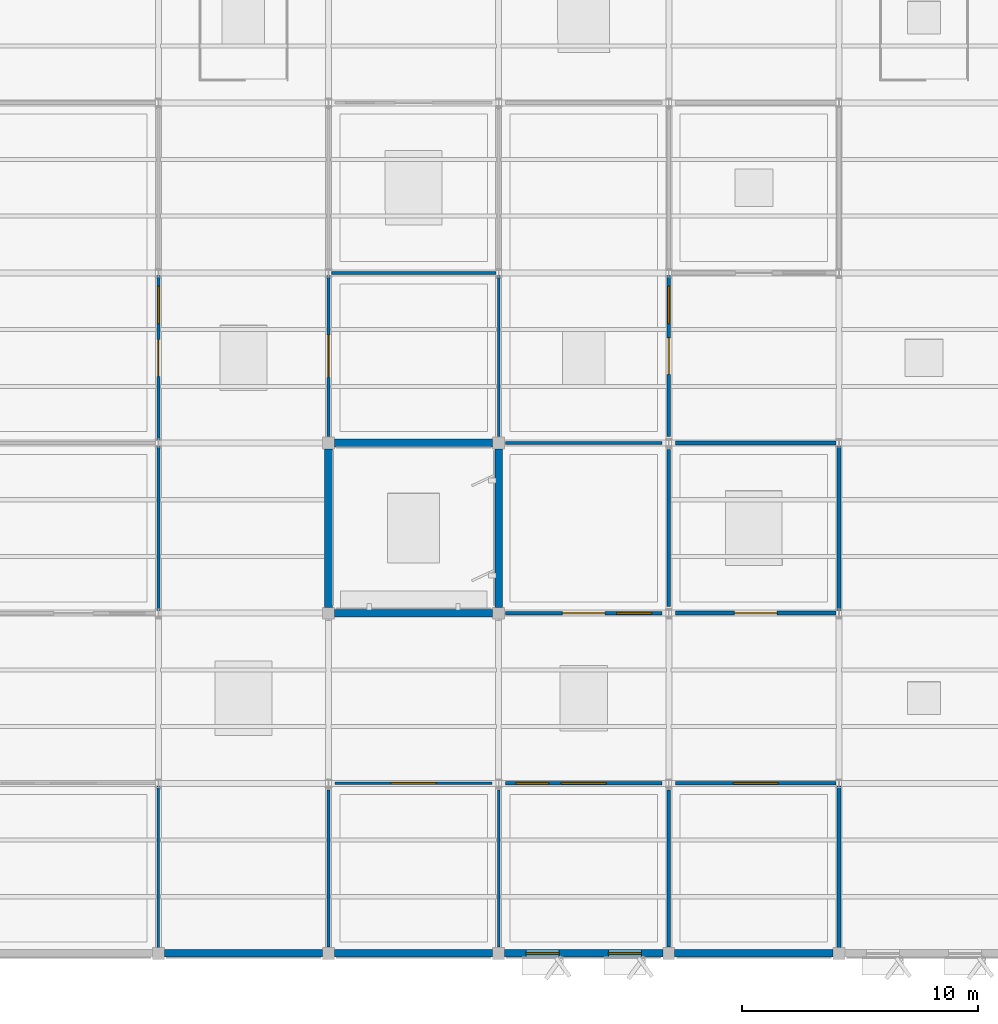
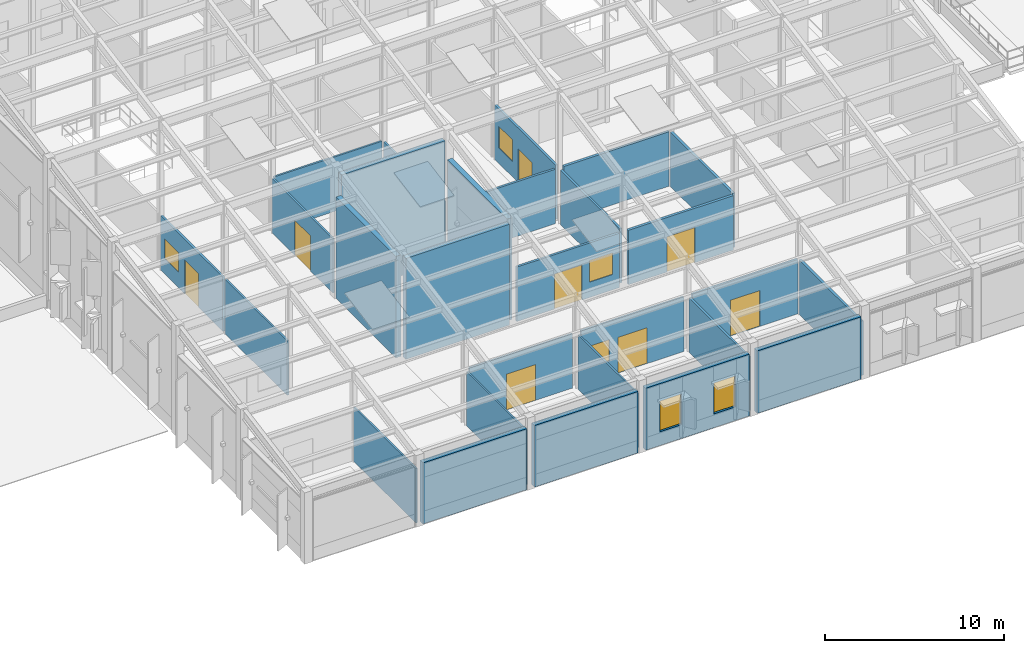
# One storey, part 33 of 82: 28 walls, 8 doors, 6 windows, 14 openings.
"""IFC4 building model written with IfcOpenShell, lengths in metres."""

from ifc_helpers import new_model, si_unit, direction, frame, frame_2d, origin, place, context, subcontext, project, spatial, rectangle, extrude, material, layer, layer_set, type_object, element, fill, save


model = new_model("IFC4")

# Units and contexts
model_context = context("Model", 3, precision=1e-05, world=origin(), true_north=direction((0.0, 1.0)))
body_context = subcontext(model_context, "Body", "Model", "MODEL_VIEW")
ifc_project = project(units=[si_unit("LENGTHUNIT", "METRE"), si_unit("AREAUNIT", "SQUARE_METRE"), si_unit("VOLUMEUNIT", "CUBIC_METRE"), si_unit("PLANEANGLEUNIT", "RADIAN"), si_unit("MASSUNIT", "GRAM", prefix="KILO")], contexts=[model_context])

# Site, building, storey
site_placement = place(None, origin())
site = spatial("IfcSite", under=ifc_project, at=site_placement, CompositionType="ELEMENT")
building_placement = place(site_placement, origin())
building = spatial("IfcBuilding", under=site, at=building_placement, Name="Sillqori Civic Hall", CompositionType="ELEMENT")
storey_placement = place(building_placement, frame((0.0, 0.0, 14.10009765625)))
storey = spatial("IfcBuildingStorey", under=building, at=storey_placement, Name="L04", CompositionType="ELEMENT", Elevation=14.10009765625)

# Walls
ifc_material_1 = material(Name="Precast concrete C40/50 (H40)", Category="concrete")
ifc_layer_1 = layer(ifc_material_1, 0.320068359375)
ifc_layer_set_1 = layer_set([ifc_layer_1], Name="Precast concrete C40/50 (H40)")
wall_type_1 = type_object("IfcWallType", Name="EW-LIME-320", PredefinedType="SOLIDWALL", material=ifc_layer_set_1)
wall_1_placement = place(storey_placement, frame((78.949951171875, 7.199951171875, 0.0), z_axis=(0.0, 0.0, 1.0), x_axis=(-1.0, 0.0, 0.0)))
element("IfcWall", 1, at=wall_1_placement, inside=storey, type_object=wall_type_1, Name="L04 V2 exterior wall L04-10-01-S", PredefinedType="SOLIDWALL", context=body_context, shape_type="SweptSolid", body=[
    extrude(rectangle(XDim=6.699951171875, YDim=0.320068359375, at=frame_2d((3.35009765625, 0.0))), origin(), (0.0, 0.0, 1.0), 4.177490234375),
])
wall_2_placement = place(storey_placement, frame((79.199951171875, 28.550048828125, 0.0), z_axis=(0.0, 0.0, 1.0), x_axis=(0.0, -1.0, 0.0)))
element("IfcWall", 2, at=wall_2_placement, inside=storey, type_object=wall_type_1, Name="L04 V2 exterior wall L04-10-03-E", PredefinedType="SOLIDWALL", context=body_context, shape_type="SweptSolid", body=[
    extrude(rectangle(XDim=6.699951171875, YDim=0.320068359375, at=frame_2d((3.35009765625, 0.0))), origin(), (0.0, 0.0, 1.0), 6.93603515625),
])
wall_3_placement = place(storey_placement, frame((86.14990234375, 7.199951171875, 0.0), z_axis=(0.0, 0.0, 1.0), x_axis=(-1.0, 0.0, 0.0)))
element("IfcWall", 3, at=wall_3_placement, inside=storey, type_object=wall_type_1, Name="L04 V2 exterior wall L04-11-01-S", PredefinedType="SOLIDWALL", context=body_context, shape_type="SweptSolid", body=[
    extrude(rectangle(XDim=6.699951171875, YDim=0.320068359375, at=frame_2d((3.35009765625, 0.0))), origin(), (0.0, 0.0, 1.0), 4.206298828125),
])
wall_4_placement = place(storey_placement, frame((79.449951171875, 21.60009765625, 0.0), z_axis=(0.0, 0.0, 1.0), x_axis=(1.0, 0.0, 0.0)))
element("IfcWall", 4, at=wall_4_placement, inside=storey, type_object=wall_type_1, Name="L04 V2 exterior wall L04-11-02-N", PredefinedType="SOLIDWALL", context=body_context, shape_type="SweptSolid", body=[
    extrude(rectangle(XDim=6.699951171875, YDim=0.320068359375, at=frame_2d((3.35009765625, 0.0))), origin(), (0.0, 0.0, 1.0), 6.891845703125),
])
wall_5_placement = place(storey_placement, frame((86.14990234375, 28.800048828125, 0.0), z_axis=(0.0, 0.0, 1.0), x_axis=(-1.0, 0.0, 0.0)))
element("IfcWall", 5, at=wall_5_placement, inside=storey, type_object=wall_type_1, Name="L04 V2 exterior wall L04-11-04-S", PredefinedType="SOLIDWALL", context=body_context, shape_type="SweptSolid", body=[
    extrude(rectangle(XDim=6.699951171875, YDim=0.320068359375, at=frame_2d((3.35009765625, 0.0))), origin(), (0.0, 0.0, 1.0), 8.23486328125),
])

# Wall, openings, windows
wall_6_placement = place(storey_placement, frame((93.35009765625, 7.199951171875, 0.0), z_axis=(0.0, 0.0, 1.0), x_axis=(-1.0, 0.0, 0.0)))
wall_6 = element("IfcWall", 6, at=wall_6_placement, inside=storey, type_object=wall_type_1, Name="L04 V2 exterior wall L04-12-01-S", PredefinedType="SOLIDWALL", context=body_context, shape_type="SweptSolid", body=[
    extrude(rectangle(XDim=6.7001953125, YDim=0.320068359375, at=frame_2d((3.35009765625, 0.0))), origin(), (0.0, 0.0, 1.0), 4.23486328125),
])
opening_1_placement = place(wall_6_placement, frame((0.907958984375, 0.0, 0.949951171875)))
opening_1 = element("IfcOpeningElement", 7, at=opening_1_placement, cuts=wall_6, Name="Opening W-03", PredefinedType="OPENING", context=body_context, shape_type="SweptSolid", body=[
    extrude(rectangle(XDim=1.39990234375, YDim=2.10009765625, at=frame_2d((0.699951171875, 1.050048828125))), frame((0.0, 0.169921875, 0.0), z_axis=(0.0, -1.0, 0.0), x_axis=(1.0, 0.0, 0.0)), (0.0, 0.0, 1.0), 0.340087890625),
])
opening_2_placement = place(wall_6_placement, frame((4.39208984375, 0.0, 0.949951171875)))
opening_2 = element("IfcOpeningElement", 8, at=opening_2_placement, cuts=wall_6, Name="Opening W-03", PredefinedType="OPENING", context=body_context, shape_type="SweptSolid", body=[
    extrude(rectangle(XDim=1.39990234375, YDim=2.10009765625, at=frame_2d((0.699951171875, 1.050048828125))), frame((0.0, 0.169921875, 0.0), z_axis=(0.0, -1.0, 0.0), x_axis=(1.0, 0.0, 0.0)), (0.0, 0.0, 1.0), 0.340087890625),
])
ifc_material_2 = material(Name="Thermally Broken Aluminium Low-E Window", Category="aluminium")
window_type_1 = type_object("IfcWindowType", Name="WIN-V2-140X210", PartitioningType="SINGLE_PANEL", PredefinedType="WINDOW", material=ifc_material_2)
window_1_placement = place(opening_1_placement, origin())
window_1 = element("IfcWindow", 9, at=window_1_placement, inside=storey, type_object=window_type_1, Name="L04 V2 window L04-12-01-S.1", OverallHeight=2.10009765625, OverallWidth=1.39990234375, PartitioningType="SINGLE_PANEL", PredefinedType="WINDOW", context=body_context, shape_type="SweptSolid", body=[
    extrude(rectangle(XDim=1.39990234375, YDim=2.10009765625, at=frame_2d((0.699951171875, 1.050048828125))), frame((0.0, 0.030029296875, 0.0), z_axis=(0.0, -1.0, 0.0), x_axis=(1.0, 0.0, 0.0)), (0.0, 0.0, 1.0), 0.06005859375),
])
fill(opening_1, window_1)
window_2_placement = place(opening_2_placement, origin())
window_2 = element("IfcWindow", 10, at=window_2_placement, inside=storey, type_object=window_type_1, Name="L04 V2 window L04-12-01-S.2", OverallHeight=2.10009765625, OverallWidth=1.39990234375, PartitioningType="SINGLE_PANEL", PredefinedType="WINDOW", context=body_context, shape_type="SweptSolid", body=[
    extrude(rectangle(XDim=1.39990234375, YDim=2.10009765625, at=frame_2d((0.699951171875, 1.050048828125))), frame((0.0, 0.030029296875, 0.0), z_axis=(0.0, -1.0, 0.0), x_axis=(1.0, 0.0, 0.0)), (0.0, 0.0, 1.0), 0.06005859375),
])
fill(opening_2, window_2)

# Walls
wall_7_placement = place(storey_placement, frame((86.39990234375, 21.85009765625, 0.0), z_axis=(0.0, 0.0, 1.0), x_axis=(0.0, 1.0, 0.0)))
element("IfcWall", 11, at=wall_7_placement, inside=storey, type_object=wall_type_1, Name="L04 V2 exterior wall L04-12-03-W", PredefinedType="SOLIDWALL", context=body_context, shape_type="SweptSolid", body=[
    extrude(rectangle(XDim=6.699951171875, YDim=0.320068359375, at=frame_2d((3.35009765625, 0.0))), origin(), (0.0, 0.0, 1.0), 6.964599609375),
])
wall_8_placement = place(storey_placement, frame((100.550048828125, 7.199951171875, 0.0), z_axis=(0.0, 0.0, 1.0), x_axis=(-1.0, 0.0, 0.0)))
element("IfcWall", 12, at=wall_8_placement, inside=storey, type_object=wall_type_1, Name="L04 V2 exterior wall L04-13-01-S", PredefinedType="SOLIDWALL", context=body_context, shape_type="SweptSolid", body=[
    extrude(rectangle(XDim=6.699951171875, YDim=0.320068359375, at=frame_2d((3.35009765625, 0.0))), origin(), (0.0, 0.0, 1.0), 4.263427734375),
])
ifc_material_3 = material(Name="Framed Acoustic Glazed Office Screen 106", Category="glass")
ifc_layer_2 = layer(ifc_material_3, 0.10595703125)
ifc_layer_set_2 = layer_set([ifc_layer_2], Name="Framed Acoustic Glazed Office Screen 106")
wall_type_2 = type_object("IfcWallType", Name="PT-GLZ-106", PredefinedType="PARTITIONING", material=ifc_layer_set_2)
wall_9_placement = place(storey_placement, frame((72.0, 14.280029296875, 0.0), z_axis=(0.0, 0.0, 1.0), x_axis=(0.0, -1.0, 0.0)))
element("IfcWall", 13, at=wall_9_placement, inside=storey, type_object=wall_type_2, Name="Wedge Sky-Lit Public Exhibition Hall partition E2", PredefinedType="PARTITIONING", context=body_context, shape_type="SweptSolid", body=[
    extrude(rectangle(XDim=6.9599609375, YDim=0.10595703125, at=frame_2d((3.47998046875, 0.0))), origin(), (0.0, 0.0, 1.0), 3.719970703125),
])
ifc_material_4 = material(Name="Double-Glazed Civic Suite Screen 118", Category="glass")
ifc_layer_3 = layer(ifc_material_4, 0.117919921875)
ifc_layer_set_3 = layer_set([ifc_layer_3], Name="Double-Glazed Civic Suite Screen 118")
wall_type_3 = type_object("IfcWallType", Name="PT-GLZ-118", PredefinedType="PARTITIONING", material=ifc_layer_set_3)
wall_10_placement = place(storey_placement, frame((72.0, 28.679931640625, 0.0), z_axis=(0.0, 0.0, 1.0), x_axis=(0.0, -1.0, 0.0)))
element("IfcWall", 14, at=wall_10_placement, inside=storey, type_object=wall_type_3, Name="Metropolitan Regional Assembly Forum partition E3", PredefinedType="PARTITIONING", context=body_context, shape_type="SweptSolid", body=[
    extrude(rectangle(XDim=6.9599609375, YDim=0.117919921875, at=frame_2d((3.47998046875, 0.0))), origin(), (0.0, 0.0, 1.0), 3.719970703125),
])

# Wall, opening, door
ifc_material_5 = material(Name="Acoustic Steel-Stud Partition 108", Category="steel")
ifc_layer_4 = layer(ifc_material_5, 0.10791015625)
ifc_layer_set_4 = layer_set([ifc_layer_4], Name="Acoustic Steel-Stud Partition 108")
wall_type_4 = type_object("IfcWallType", Name="PT-GYP-108", PredefinedType="PARTITIONING", material=ifc_layer_set_4)
wall_11_placement = place(storey_placement, frame((79.47998046875, 14.39990234375, 0.0), z_axis=(0.0, 0.0, 1.0), x_axis=(1.0, 0.0, 0.0)))
wall_11 = element("IfcWall", 15, at=wall_11_placement, inside=storey, type_object=wall_type_4, Name="Wedge Sky-Lit Public Exhibition Hall L04-05 partition N1", PredefinedType="PARTITIONING", context=body_context, shape_type="SweptSolid", body=[
    extrude(rectangle(XDim=6.64013671875, YDim=0.10791015625, at=frame_2d((3.320068359375, 0.0))), origin(), (0.0, 0.0, 1.0), 3.719970703125),
])
opening_3_placement = place(wall_11_placement, frame((2.3701171875, 0.0, 0.0)))
opening_3 = element("IfcOpeningElement", 16, at=opening_3_placement, cuts=wall_11, Name="Opening ID-11", PredefinedType="OPENING", context=body_context, shape_type="SweptSolid", body=[
    extrude(rectangle(XDim=1.89990234375, YDim=2.449951171875, at=frame_2d((0.949951171875, 1.22509765625))), frame((0.0, 0.06396484375, 0.0), z_axis=(0.0, -1.0, 0.0), x_axis=(1.0, 0.0, 0.0)), (0.0, 0.0, 1.0), 0.1279296875),
])
ifc_material_6 = material(Name="Exhibition Gallery Portal Door", Category="aluminium")
door_type_1 = type_object("IfcDoorType", Name="IDR-EXH-190X245", OperationType="NOTDEFINED", PredefinedType="DOOR", material=ifc_material_6)
door_1_placement = place(opening_3_placement, origin())
door_1 = element("IfcDoor", 17, at=door_1_placement, inside=storey, type_object=door_type_1, Name="Wedge Sky-Lit Public Exhibition Hall L04-05 entrance door", OperationType="DOUBLE_DOOR_SINGLE_SWING", OverallHeight=2.449951171875, OverallWidth=1.89990234375, PredefinedType="DOOR", context=body_context, shape_type="SweptSolid", body=[
    extrude(rectangle(XDim=1.89990234375, YDim=2.449951171875, at=frame_2d((0.949951171875, 1.22509765625))), frame((0.0, 0.02490234375, 0.0), z_axis=(0.0, -1.0, 0.0), x_axis=(1.0, 0.0, 0.0)), (0.0, 0.0, 1.0), 0.050048828125),
])
fill(opening_3, door_1)

# Walls
for number, where, z_axis, x_axis, name in (
    (18, (79.199951171875, 7.47998046875, 0.0), (0.0, 0.0, 1.0), (0.0, 1.0, 0.0), "Wedge Sky-Lit Public Exhibition Hall L04-05 partition W2"),
    (19, (86.39990234375, 14.1201171875, 0.0), (0.0, 0.0, 1.0), (0.0, -1.0, 0.0), "Wedge Sky-Lit Public Exhibition Hall L04-05 partition E3"),
):
    element("IfcWall", number, at=place(storey_placement, frame(where, z_axis=z_axis, x_axis=x_axis)), inside=storey, type_object=wall_type_4, Name=name, PredefinedType="PARTITIONING", context=body_context, shape_type="SweptSolid", body=[
        extrude(rectangle(XDim=6.64013671875, YDim=0.10791015625, at=frame_2d((3.320068359375, 0.0))), origin(), (0.0, 0.0, 1.0), 3.719970703125),
    ])

# Wall, opening, door
ifc_material_7 = material(Name="Acoustic Steel-Stud Partition 116", Category="steel")
ifc_layer_5 = layer(ifc_material_7, 0.115966796875)
ifc_layer_set_5 = layer_set([ifc_layer_5], Name="Acoustic Steel-Stud Partition 116")
wall_type_5 = type_object("IfcWallType", Name="PT-GYP-116", PredefinedType="PARTITIONING", material=ifc_layer_set_5)
wall_12_placement = place(storey_placement, frame((79.199951171875, 29.080078125, 0.0), z_axis=(0.0, 0.0, 1.0), x_axis=(0.0, 1.0, 0.0)))
wall_12 = element("IfcWall", 20, at=wall_12_placement, inside=storey, type_object=wall_type_5, Name="Metropolitan Regional Assembly Forum L04-06 partition W1", PredefinedType="PARTITIONING", context=body_context, shape_type="SweptSolid", body=[
    extrude(rectangle(XDim=6.7998046875, YDim=0.115966796875, at=frame_2d((3.39990234375, 0.0))), origin(), (0.0, 0.0, 1.0), 3.719970703125),
])
opening_4_placement = place(wall_12_placement, frame((2.5, 0.0, 0.0)))
opening_4 = element("IfcOpeningElement", 21, at=opening_4_placement, cuts=wall_12, Name="Opening ID-03", PredefinedType="OPENING", context=body_context, shape_type="SweptSolid", body=[
    extrude(rectangle(XDim=1.800048828125, YDim=2.39990234375, at=frame_2d((0.89990234375, 1.199951171875))), frame((0.0, 0.06787109375, 0.0), z_axis=(0.0, -1.0, 0.0), x_axis=(1.0, 0.0, 0.0)), (0.0, 0.0, 1.0), 0.135986328125),
])
ifc_material_8 = material(Name="Committee Hearing Double Door", Category="timber")
door_type_2 = type_object("IfcDoorType", Name="IDR-COM-180X240", OperationType="NOTDEFINED", PredefinedType="DOOR", material=ifc_material_8)
door_2_placement = place(opening_4_placement, origin())
door_2 = element("IfcDoor", 22, at=door_2_placement, inside=storey, type_object=door_type_2, Name="Metropolitan Regional Assembly Forum L04-06 entrance door", OperationType="DOUBLE_DOOR_SINGLE_SWING", OverallHeight=2.39990234375, OverallWidth=1.800048828125, PredefinedType="DOOR", context=body_context, shape_type="SweptSolid", body=[
    extrude(rectangle(XDim=1.800048828125, YDim=2.39990234375, at=frame_2d((0.89990234375, 1.199951171875))), frame((0.0, 0.02490234375, 0.0), z_axis=(0.0, -1.0, 0.0), x_axis=(1.0, 0.0, 0.0)), (0.0, 0.0, 1.0), 0.050048828125),
])
fill(opening_4, door_2)

# Walls
wall_13_placement = place(storey_placement, frame((79.320068359375, 36.0, 0.0), z_axis=(0.0, 0.0, 1.0), x_axis=(1.0, 0.0, 0.0)))
element("IfcWall", 23, at=wall_13_placement, inside=storey, type_object=wall_type_5, Name="Metropolitan Regional Assembly Forum L04-06 partition N2", PredefinedType="PARTITIONING", context=body_context, shape_type="SweptSolid", body=[
    extrude(rectangle(XDim=6.9599609375, YDim=0.115966796875, at=frame_2d((3.47998046875, 0.0))), origin(), (0.0, 0.0, 1.0), 3.719970703125),
])
wall_14_placement = place(storey_placement, frame((86.39990234375, 35.8798828125, 0.0), z_axis=(0.0, 0.0, 1.0), x_axis=(0.0, -1.0, 0.0)))
element("IfcWall", 24, at=wall_14_placement, inside=storey, type_object=wall_type_5, Name="Metropolitan Regional Assembly Forum L04-06 partition E3", PredefinedType="PARTITIONING", context=body_context, shape_type="SweptSolid", body=[
    extrude(rectangle(XDim=6.7998046875, YDim=0.115966796875, at=frame_2d((3.39990234375, 0.0))), origin(), (0.0, 0.0, 1.0), 3.719970703125),
])

# Wall, openings, door, window
ifc_material_9 = material(Name="Double-Board Acoustic Partition 135", Category="gypsum")
ifc_layer_6 = layer(ifc_material_9, 0.135009765625)
ifc_layer_set_6 = layer_set([ifc_layer_6], Name="Double-Board Acoustic Partition 135")
wall_type_6 = type_object("IfcWallType", Name="PT-GYP-135", PredefinedType="PARTITIONING", material=ifc_layer_set_6)
wall_15_placement = place(storey_placement, frame((86.679931640625, 14.39990234375, 0.0), z_axis=(0.0, 0.0, 1.0), x_axis=(1.0, 0.0, 0.0)))
wall_15 = element("IfcWall", 25, at=wall_15_placement, inside=storey, type_object=wall_type_6, Name="Wedge Sky-Lit Public Exhibition Hall L04-09 partition N1", PredefinedType="PARTITIONING", context=body_context, shape_type="SweptSolid", body=[
    extrude(rectangle(XDim=6.64013671875, YDim=0.135009765625, at=frame_2d((3.320068359375, 0.0))), origin(), (0.0, 0.0, 1.0), 3.719970703125),
])
opening_5_placement = place(wall_15_placement, frame((2.3701171875, 0.0, 0.0)))
opening_5 = element("IfcOpeningElement", 26, at=opening_5_placement, cuts=wall_15, Name="Opening ID-11", PredefinedType="OPENING", context=body_context, shape_type="SweptSolid", body=[
    extrude(rectangle(XDim=1.89990234375, YDim=2.449951171875, at=frame_2d((0.949951171875, 1.22509765625))), frame((0.0, 0.077392578125, 0.0), z_axis=(0.0, -1.0, 0.0), x_axis=(1.0, 0.0, 0.0)), (0.0, 0.0, 1.0), 0.155029296875),
])
opening_6_placement = place(wall_15_placement, frame((0.449951171875, 0.0, 1.050048828125)))
opening_6 = element("IfcOpeningElement", 27, at=opening_6_placement, cuts=wall_15, Name="Opening IW-48", PredefinedType="OPENING", context=body_context, shape_type="SweptSolid", body=[
    extrude(rectangle(XDim=1.3798828125, YDim=1.43994140625, at=frame_2d((0.68994140625, 0.719970703125))), frame((0.0, 0.077392578125, 0.0), z_axis=(0.0, -1.0, 0.0), x_axis=(1.0, 0.0, 0.0)), (0.0, 0.0, 1.0), 0.155029296875),
])
door_3_placement = place(opening_5_placement, origin())
door_3 = element("IfcDoor", 28, at=door_3_placement, inside=storey, type_object=door_type_1, Name="Wedge Sky-Lit Public Exhibition Hall L04-09 entrance door", OperationType="DOUBLE_DOOR_SINGLE_SWING", OverallHeight=2.449951171875, OverallWidth=1.89990234375, PredefinedType="DOOR", context=body_context, shape_type="SweptSolid", body=[
    extrude(rectangle(XDim=1.89990234375, YDim=2.449951171875, at=frame_2d((0.949951171875, 1.22509765625))), frame((0.0, 0.02490234375, 0.0), z_axis=(0.0, -1.0, 0.0), x_axis=(1.0, 0.0, 0.0)), (0.0, 0.0, 1.0), 0.050048828125),
])
fill(opening_5, door_3)
ifc_material_10 = material(Name="Acoustic Laminated Interior Clerestory Glazing", Category="glass")
window_type_2 = type_object("IfcWindowType", Name="IWN-GAL-138X144", PartitioningType="SINGLE_PANEL", PredefinedType="WINDOW", material=ifc_material_10)
window_3_placement = place(opening_6_placement, origin())
window_3 = element("IfcWindow", 29, at=window_3_placement, inside=storey, type_object=window_type_2, Name="Wedge Sky-Lit Public Exhibition Hall L04-09 borrowed-light screen", OverallHeight=1.43994140625, OverallWidth=1.3798828125, PartitioningType="SINGLE_PANEL", PredefinedType="WINDOW", context=body_context, shape_type="SweptSolid", body=[
    extrude(rectangle(XDim=1.3798828125, YDim=1.43994140625, at=frame_2d((0.68994140625, 0.719970703125))), frame((0.0, 0.030029296875, 0.0), z_axis=(0.0, -1.0, 0.0), x_axis=(1.0, 0.0, 0.0)), (0.0, 0.0, 1.0), 0.06005859375),
])
fill(opening_6, window_3)

# Wall
wall_16_placement = place(storey_placement, frame((93.60009765625, 14.1201171875, 0.0), z_axis=(0.0, 0.0, 1.0), x_axis=(0.0, -1.0, 0.0)))
element("IfcWall", 30, at=wall_16_placement, inside=storey, type_object=wall_type_6, Name="Wedge Sky-Lit Public Exhibition Hall L04-09 partition E3", PredefinedType="PARTITIONING", context=body_context, shape_type="SweptSolid", body=[
    extrude(rectangle(XDim=6.64013671875, YDim=0.135009765625, at=frame_2d((3.320068359375, 0.0))), origin(), (0.0, 0.0, 1.0), 3.719970703125),
])

# Wall, openings, door, window
ifc_material_11 = material(Name="Corridor Rated Partition 142", Category="gypsum")
ifc_layer_7 = layer(ifc_material_11, 0.14208984375)
ifc_layer_set_7 = layer_set([ifc_layer_7], Name="Corridor Rated Partition 142")
wall_type_7 = type_object("IfcWallType", Name="PT-GYP-142", PredefinedType="PARTITIONING", material=ifc_layer_set_7)
wall_17_placement = place(storey_placement, frame((93.320068359375, 21.60009765625, 0.0), z_axis=(0.0, 0.0, 1.0), x_axis=(-1.0, 0.0, 0.0)))
wall_17 = element("IfcWall", 31, at=wall_17_placement, inside=storey, type_object=wall_type_7, Name="Metropolitan Regional Assembly Forum L04-10 partition S1", PredefinedType="PARTITIONING", context=body_context, shape_type="SweptSolid", body=[
    extrude(rectangle(XDim=6.64013671875, YDim=0.14208984375, at=frame_2d((3.320068359375, 0.0))), origin(), (0.0, 0.0, 1.0), 3.719970703125),
])
opening_7_placement = place(wall_17_placement, frame((2.419921875, 0.0, 0.0)))
opening_7 = element("IfcOpeningElement", 32, at=opening_7_placement, cuts=wall_17, Name="Opening ID-03", PredefinedType="OPENING", context=body_context, shape_type="SweptSolid", body=[
    extrude(rectangle(XDim=1.800048828125, YDim=2.39990234375, at=frame_2d((0.89990234375, 1.199951171875))), frame((0.0, 0.0810546875, 0.0), z_axis=(0.0, -1.0, 0.0), x_axis=(1.0, 0.0, 0.0)), (0.0, 0.0, 1.0), 0.162109375),
])
opening_8_placement = place(wall_17_placement, frame((0.449951171875, 0.0, 1.050048828125)))
opening_8 = element("IfcOpeningElement", 33, at=opening_8_placement, cuts=wall_17, Name="Opening IW-49", PredefinedType="OPENING", context=body_context, shape_type="SweptSolid", body=[
    extrude(rectangle(XDim=1.47998046875, YDim=1.47998046875, at=frame_2d((0.739990234375, 0.739990234375))), frame((0.0, 0.0810546875, 0.0), z_axis=(0.0, -1.0, 0.0), x_axis=(1.0, 0.0, 0.0)), (0.0, 0.0, 1.0), 0.162109375),
])
door_4_placement = place(opening_7_placement, origin())
door_4 = element("IfcDoor", 34, at=door_4_placement, inside=storey, type_object=door_type_2, Name="Metropolitan Regional Assembly Forum L04-10 entrance door", OperationType="DOUBLE_DOOR_SINGLE_SWING", OverallHeight=2.39990234375, OverallWidth=1.800048828125, PredefinedType="DOOR", context=body_context, shape_type="SweptSolid", body=[
    extrude(rectangle(XDim=1.800048828125, YDim=2.39990234375, at=frame_2d((0.89990234375, 1.199951171875))), frame((0.0, 0.02490234375, 0.0), z_axis=(0.0, -1.0, 0.0), x_axis=(1.0, 0.0, 0.0)), (0.0, 0.0, 1.0), 0.050048828125),
])
fill(opening_7, door_4)
window_type_3 = type_object("IfcWindowType", Name="IWN-GAL-148X148", PartitioningType="SINGLE_PANEL", PredefinedType="WINDOW", material=ifc_material_10)
window_4_placement = place(opening_8_placement, origin())
window_4 = element("IfcWindow", 35, at=window_4_placement, inside=storey, type_object=window_type_3, Name="Metropolitan Regional Assembly Forum L04-10 borrowed-light screen", OverallHeight=1.47998046875, OverallWidth=1.47998046875, PartitioningType="SINGLE_PANEL", PredefinedType="WINDOW", context=body_context, shape_type="SweptSolid", body=[
    extrude(rectangle(XDim=1.47998046875, YDim=1.47998046875, at=frame_2d((0.739990234375, 0.739990234375))), frame((0.0, 0.030029296875, 0.0), z_axis=(0.0, -1.0, 0.0), x_axis=(1.0, 0.0, 0.0)), (0.0, 0.0, 1.0), 0.06005859375),
])
fill(opening_8, window_4)

# Walls
for number, where, z_axis, x_axis, name in (
    (36, (86.679931640625, 28.800048828125, 0.0), (0.0, 0.0, 1.0), (1.0, 0.0, 0.0), "Metropolitan Regional Assembly Forum L04-10 partition N2"),
    (37, (93.60009765625, 28.52001953125, 0.0), (0.0, 0.0, 1.0), (0.0, -1.0, 0.0), "Metropolitan Regional Assembly Forum L04-10 partition E3"),
):
    element("IfcWall", number, at=place(storey_placement, frame(where, z_axis=z_axis, x_axis=x_axis)), inside=storey, type_object=wall_type_7, Name=name, PredefinedType="PARTITIONING", context=body_context, shape_type="SweptSolid", body=[
        extrude(rectangle(XDim=6.64013671875, YDim=0.14208984375, at=frame_2d((3.320068359375, 0.0))), origin(), (0.0, 0.0, 1.0), 3.719970703125),
    ])

# Wall, openings, door, window
ifc_material_12 = material(Name="Corridor Rated Partition 146", Category="gypsum")
ifc_layer_8 = layer(ifc_material_12, 0.14599609375)
ifc_layer_set_8 = layer_set([ifc_layer_8], Name="Corridor Rated Partition 146")
wall_type_8 = type_object("IfcWallType", Name="PT-GYP-146", PredefinedType="PARTITIONING", material=ifc_layer_set_8)
wall_18_placement = place(storey_placement, frame((93.60009765625, 35.8798828125, 0.0), z_axis=(0.0, 0.0, 1.0), x_axis=(0.0, -1.0, 0.0)))
wall_18 = element("IfcWall", 38, at=wall_18_placement, inside=storey, type_object=wall_type_8, Name="Citizen Innovation and Open-Data Studio L04-11 partition E1", PredefinedType="PARTITIONING", context=body_context, shape_type="SweptSolid", body=[
    extrude(rectangle(XDim=6.7998046875, YDim=0.14599609375, at=frame_2d((3.39990234375, 0.0))), origin(), (0.0, 0.0, 1.0), 3.719970703125),
])
opening_9_placement = place(wall_18_placement, frame((2.625, 0.0, 0.0)))
opening_9 = element("IfcOpeningElement", 39, at=opening_9_placement, cuts=wall_18, Name="Opening ID-08", PredefinedType="OPENING", context=body_context, shape_type="SweptSolid", body=[
    extrude(rectangle(XDim=1.550048828125, YDim=2.300048828125, at=frame_2d((0.77490234375, 1.14990234375))), frame((0.0, 0.0830078125, 0.0), z_axis=(0.0, -1.0, 0.0), x_axis=(1.0, 0.0, 0.0)), (0.0, 0.0, 1.0), 0.166015625),
])
opening_10_placement = place(wall_18_placement, frame((0.449951171875, 0.0, 1.050048828125)))
opening_10 = element("IfcOpeningElement", 40, at=opening_10_placement, cuts=wall_18, Name="Opening IW-50", PredefinedType="OPENING", context=body_context, shape_type="SweptSolid", body=[
    extrude(rectangle(XDim=1.580078125, YDim=1.47998046875, at=frame_2d((0.7900390625, 0.739990234375))), frame((0.0, 0.0830078125, 0.0), z_axis=(0.0, -1.0, 0.0), x_axis=(1.0, 0.0, 0.0)), (0.0, 0.0, 1.0), 0.166015625),
])
ifc_material_13 = material(Name="Community Room Double Leaf Door", Category="timber")
door_type_3 = type_object("IfcDoorType", Name="IDR-CMY-155X230", OperationType="NOTDEFINED", PredefinedType="DOOR", material=ifc_material_13)
door_5_placement = place(opening_9_placement, origin())
door_5 = element("IfcDoor", 41, at=door_5_placement, inside=storey, type_object=door_type_3, Name="Citizen Innovation and Open-Data Studio L04-11 entrance door", OperationType="DOUBLE_DOOR_SINGLE_SWING", OverallHeight=2.300048828125, OverallWidth=1.550048828125, PredefinedType="DOOR", context=body_context, shape_type="SweptSolid", body=[
    extrude(rectangle(XDim=1.550048828125, YDim=2.300048828125, at=frame_2d((0.77490234375, 1.14990234375))), frame((0.0, 0.02490234375, 0.0), z_axis=(0.0, -1.0, 0.0), x_axis=(1.0, 0.0, 0.0)), (0.0, 0.0, 1.0), 0.050048828125),
])
fill(opening_9, door_5)
window_type_4 = type_object("IfcWindowType", Name="IWN-GAL-158X148", PartitioningType="SINGLE_PANEL", PredefinedType="WINDOW", material=ifc_material_10)
window_5_placement = place(opening_10_placement, origin())
window_5 = element("IfcWindow", 42, at=window_5_placement, inside=storey, type_object=window_type_4, Name="Citizen Innovation and Open-Data Studio L04-11 borrowed-light screen", OverallHeight=1.47998046875, OverallWidth=1.580078125, PartitioningType="SINGLE_PANEL", PredefinedType="WINDOW", context=body_context, shape_type="SweptSolid", body=[
    extrude(rectangle(XDim=1.580078125, YDim=1.47998046875, at=frame_2d((0.7900390625, 0.739990234375))), frame((0.0, 0.030029296875, 0.0), z_axis=(0.0, -1.0, 0.0), x_axis=(1.0, 0.0, 0.0)), (0.0, 0.0, 1.0), 0.06005859375),
])
fill(opening_10, window_5)

# Wall, opening, door
ifc_material_14 = material(Name="Hearing Acoustic Partition 158", Category="gypsum")
ifc_layer_9 = layer(ifc_material_14, 0.157958984375)
ifc_layer_set_9 = layer_set([ifc_layer_9], Name="Hearing Acoustic Partition 158")
wall_type_9 = type_object("IfcWallType", Name="PT-GYP-158", PredefinedType="PARTITIONING", material=ifc_layer_set_9)
wall_19_placement = place(storey_placement, frame((93.8798828125, 14.39990234375, 0.0), z_axis=(0.0, 0.0, 1.0), x_axis=(1.0, 0.0, 0.0)))
wall_19 = element("IfcWall", 43, at=wall_19_placement, inside=storey, type_object=wall_type_9, Name="Wedge Sky-Lit Public Exhibition Hall L04-13 partition N1", PredefinedType="PARTITIONING", context=body_context, shape_type="SweptSolid", body=[
    extrude(rectangle(XDim=6.800048828125, YDim=0.157958984375, at=frame_2d((3.39990234375, 0.0))), origin(), (0.0, 0.0, 1.0), 3.719970703125),
])
opening_11_placement = place(wall_19_placement, frame((2.449951171875, 0.0, 0.0)))
opening_11 = element("IfcOpeningElement", 44, at=opening_11_placement, cuts=wall_19, Name="Opening ID-11", PredefinedType="OPENING", context=body_context, shape_type="SweptSolid", body=[
    extrude(rectangle(XDim=1.89990234375, YDim=2.449951171875, at=frame_2d((0.949951171875, 1.22509765625))), frame((0.0, 0.0888671875, 0.0), z_axis=(0.0, -1.0, 0.0), x_axis=(1.0, 0.0, 0.0)), (0.0, 0.0, 1.0), 0.177978515625),
])
door_6_placement = place(opening_11_placement, origin())
door_6 = element("IfcDoor", 45, at=door_6_placement, inside=storey, type_object=door_type_1, Name="Wedge Sky-Lit Public Exhibition Hall L04-13 entrance door", OperationType="DOUBLE_DOOR_SINGLE_SWING", OverallHeight=2.449951171875, OverallWidth=1.89990234375, PredefinedType="DOOR", context=body_context, shape_type="SweptSolid", body=[
    extrude(rectangle(XDim=1.89990234375, YDim=2.449951171875, at=frame_2d((0.949951171875, 1.22509765625))), frame((0.0, 0.02490234375, 0.0), z_axis=(0.0, -1.0, 0.0), x_axis=(1.0, 0.0, 0.0)), (0.0, 0.0, 1.0), 0.050048828125),
])
fill(opening_11, door_6)

# Wall
wall_20_placement = place(storey_placement, frame((100.800048828125, 14.280029296875, 0.0), z_axis=(0.0, 0.0, 1.0), x_axis=(0.0, -1.0, 0.0)))
element("IfcWall", 46, at=wall_20_placement, inside=storey, type_object=wall_type_9, Name="Wedge Sky-Lit Public Exhibition Hall L04-13 partition E3", PredefinedType="PARTITIONING", context=body_context, shape_type="SweptSolid", body=[
    extrude(rectangle(XDim=6.9599609375, YDim=0.157958984375, at=frame_2d((3.47998046875, 0.0))), origin(), (0.0, 0.0, 1.0), 3.719970703125),
])

# Wall, opening, door
ifc_material_15 = material(Name="Concrete C25/30 (H25)", Category="concrete")
ifc_layer_10 = layer(ifc_material_15, 0.1650390625)
ifc_layer_set_10 = layer_set([ifc_layer_10], Name="Concrete C25/30 (H25)")
wall_type_10 = type_object("IfcWallType", Name="PT-MAS-165", PredefinedType="PARTITIONING", material=ifc_layer_set_10)
wall_21_placement = place(storey_placement, frame((100.679931640625, 21.60009765625, 0.0), z_axis=(0.0, 0.0, 1.0), x_axis=(-1.0, 0.0, 0.0)))
wall_21 = element("IfcWall", 47, at=wall_21_placement, inside=storey, type_object=wall_type_10, Name="Metropolitan Regional Assembly Forum L04-14 partition S1", PredefinedType="PARTITIONING", context=body_context, shape_type="SweptSolid", body=[
    extrude(rectangle(XDim=6.800048828125, YDim=0.1650390625, at=frame_2d((3.39990234375, 0.0))), origin(), (0.0, 0.0, 1.0), 3.719970703125),
])
opening_12_placement = place(wall_21_placement, frame((2.5, 0.0, 0.0)))
opening_12 = element("IfcOpeningElement", 48, at=opening_12_placement, cuts=wall_21, Name="Opening ID-03", PredefinedType="OPENING", context=body_context, shape_type="SweptSolid", body=[
    extrude(rectangle(XDim=1.800048828125, YDim=2.39990234375, at=frame_2d((0.89990234375, 1.199951171875))), frame((0.0, 0.092529296875, 0.0), z_axis=(0.0, -1.0, 0.0), x_axis=(1.0, 0.0, 0.0)), (0.0, 0.0, 1.0), 0.18505859375),
])
door_7_placement = place(opening_12_placement, origin())
door_7 = element("IfcDoor", 49, at=door_7_placement, inside=storey, type_object=door_type_2, Name="Metropolitan Regional Assembly Forum L04-14 entrance door", OperationType="DOUBLE_DOOR_SINGLE_SWING", OverallHeight=2.39990234375, OverallWidth=1.800048828125, PredefinedType="DOOR", context=body_context, shape_type="SweptSolid", body=[
    extrude(rectangle(XDim=1.800048828125, YDim=2.39990234375, at=frame_2d((0.89990234375, 1.199951171875))), frame((0.0, 0.02490234375, 0.0), z_axis=(0.0, -1.0, 0.0), x_axis=(1.0, 0.0, 0.0)), (0.0, 0.0, 1.0), 0.050048828125),
])
fill(opening_12, door_7)

# Walls
wall_22_placement = place(storey_placement, frame((93.8798828125, 28.800048828125, 0.0), z_axis=(0.0, 0.0, 1.0), x_axis=(1.0, 0.0, 0.0)))
element("IfcWall", 50, at=wall_22_placement, inside=storey, type_object=wall_type_10, Name="Metropolitan Regional Assembly Forum L04-14 partition N2", PredefinedType="PARTITIONING", context=body_context, shape_type="SweptSolid", body=[
    extrude(rectangle(XDim=6.800048828125, YDim=0.1650390625, at=frame_2d((3.39990234375, 0.0))), origin(), (0.0, 0.0, 1.0), 3.719970703125),
])
wall_23_placement = place(storey_placement, frame((100.800048828125, 28.679931640625, 0.0), z_axis=(0.0, 0.0, 1.0), x_axis=(0.0, -1.0, 0.0)))
element("IfcWall", 51, at=wall_23_placement, inside=storey, type_object=wall_type_10, Name="Metropolitan Regional Assembly Forum L04-14 partition E4", PredefinedType="PARTITIONING", context=body_context, shape_type="SweptSolid", body=[
    extrude(rectangle(XDim=6.9599609375, YDim=0.1650390625, at=frame_2d((3.47998046875, 0.0))), origin(), (0.0, 0.0, 1.0), 3.719970703125),
])

# Wall, openings, door, window
ifc_material_16 = material(Name="Andean Cedar Slatted Acoustic Wall 132", Category="timber")
ifc_layer_11 = layer(ifc_material_16, 0.132080078125)
ifc_layer_set_11 = layer_set([ifc_layer_11], Name="Andean Cedar Slatted Acoustic Wall 132")
wall_type_11 = type_object("IfcWallType", Name="PT-TIM-132", PredefinedType="PARTITIONING", material=ifc_layer_set_11)
wall_24_placement = place(storey_placement, frame((72.0, 35.8798828125, 0.0), z_axis=(0.0, 0.0, 1.0), x_axis=(0.0, -1.0, 0.0)))
wall_24 = element("IfcWall", 52, at=wall_24_placement, inside=storey, type_object=wall_type_11, Name="Citizen Innovation and Open-Data Studio partition E1", PredefinedType="PARTITIONING", context=body_context, shape_type="SweptSolid", body=[
    extrude(rectangle(XDim=6.9599609375, YDim=0.132080078125, at=frame_2d((3.47998046875, 0.0))), origin(), (0.0, 0.0, 1.0), 3.719970703125),
])
opening_13_placement = place(wall_24_placement, frame((2.705078125, 0.0, 0.0)))
opening_13 = element("IfcOpeningElement", 53, at=opening_13_placement, cuts=wall_24, Name="Opening ID-08", PredefinedType="OPENING", context=body_context, shape_type="SweptSolid", body=[
    extrude(rectangle(XDim=1.550048828125, YDim=2.300048828125, at=frame_2d((0.77490234375, 1.14990234375))), frame((0.0, 0.075927734375, 0.0), z_axis=(0.0, -1.0, 0.0), x_axis=(1.0, 0.0, 0.0)), (0.0, 0.0, 1.0), 0.152099609375),
])
opening_14_placement = place(wall_24_placement, frame((0.449951171875, 0.0, 1.050048828125)))
opening_14 = element("IfcOpeningElement", 54, at=opening_14_placement, cuts=wall_24, Name="Opening IW-41", PredefinedType="OPENING", context=body_context, shape_type="SweptSolid", body=[
    extrude(rectangle(XDim=1.580078125, YDim=1.340087890625, at=frame_2d((0.7900390625, 0.669921875))), frame((0.0, 0.075927734375, 0.0), z_axis=(0.0, -1.0, 0.0), x_axis=(1.0, 0.0, 0.0)), (0.0, 0.0, 1.0), 0.152099609375),
])
door_8_placement = place(opening_13_placement, origin())
door_8 = element("IfcDoor", 55, at=door_8_placement, inside=storey, type_object=door_type_3, Name="Citizen Innovation and Open-Data Studio entrance door", OperationType="DOUBLE_DOOR_SINGLE_SWING", OverallHeight=2.300048828125, OverallWidth=1.550048828125, PredefinedType="DOOR", context=body_context, shape_type="SweptSolid", body=[
    extrude(rectangle(XDim=1.550048828125, YDim=2.300048828125, at=frame_2d((0.77490234375, 1.14990234375))), frame((0.0, 0.02490234375, 0.0), z_axis=(0.0, -1.0, 0.0), x_axis=(1.0, 0.0, 0.0)), (0.0, 0.0, 1.0), 0.050048828125),
])
fill(opening_13, door_8)
window_type_5 = type_object("IfcWindowType", Name="IWN-GAL-158X134", PartitioningType="SINGLE_PANEL", PredefinedType="WINDOW", material=ifc_material_10)
window_6_placement = place(opening_14_placement, origin())
window_6 = element("IfcWindow", 56, at=window_6_placement, inside=storey, type_object=window_type_5, Name="Citizen Innovation and Open-Data Studio borrowed-light screen", OverallHeight=1.340087890625, OverallWidth=1.580078125, PartitioningType="SINGLE_PANEL", PredefinedType="WINDOW", context=body_context, shape_type="SweptSolid", body=[
    extrude(rectangle(XDim=1.580078125, YDim=1.340087890625, at=frame_2d((0.7900390625, 0.669921875))), frame((0.0, 0.030029296875, 0.0), z_axis=(0.0, -1.0, 0.0), x_axis=(1.0, 0.0, 0.0)), (0.0, 0.0, 1.0), 0.06005859375),
])
fill(opening_14, window_6)

save(model, "model.ifc")
